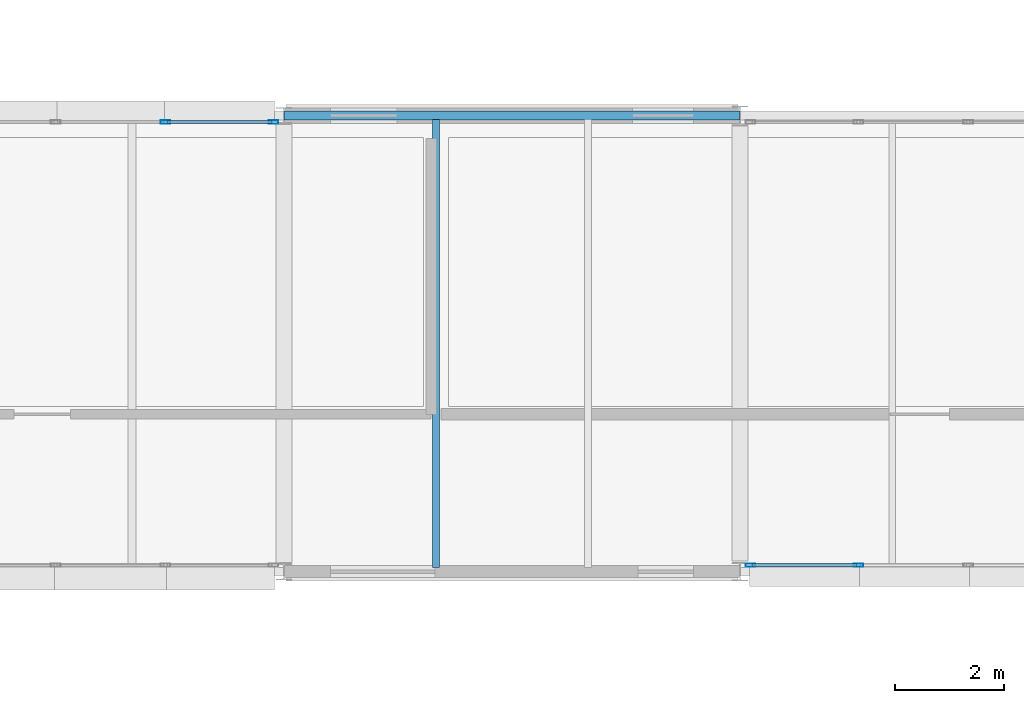
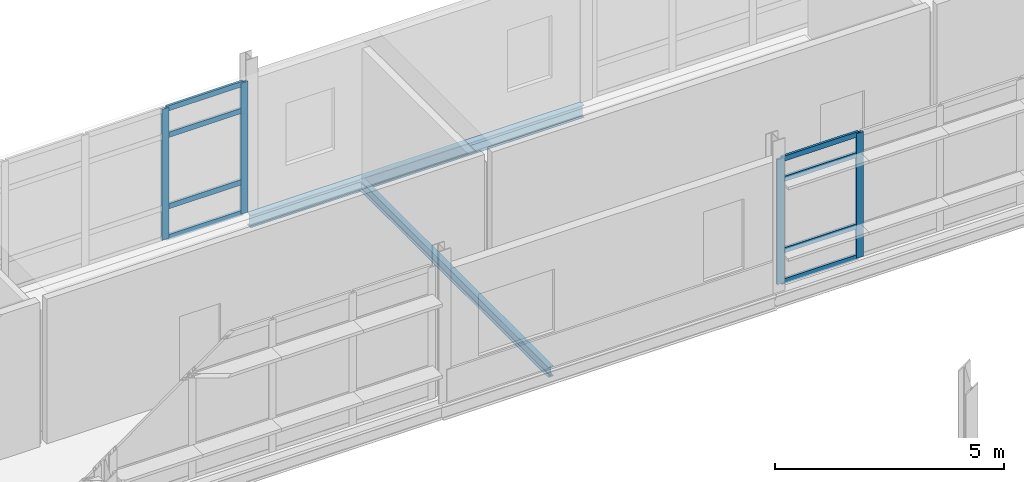
# One storey, part 25 of 57: 12 members, 2 beams, 2 elements without a shape of their own.
"""IFC4 building model written with IfcOpenShell, lengths in metres."""

from ifc_helpers import new_model, si_unit, direction, frame, origin, origin_2d, place, context, subcontext, project, spatial, hollow_rectangle, i_section, extrude, material, material_profile, profile_set, type_object, element, aggregate, save


model = new_model("IFC4")

# Units and contexts
model_context = context("Model", 3, precision=1e-05, world=origin(), true_north=direction((0.0, 1.0)))
body_context = subcontext(model_context, "Body", "Model", "MODEL_VIEW")
ifc_project = project(units=[si_unit("LENGTHUNIT", "METRE"), si_unit("AREAUNIT", "SQUARE_METRE"), si_unit("VOLUMEUNIT", "CUBIC_METRE"), si_unit("PLANEANGLEUNIT", "RADIAN"), si_unit("MASSUNIT", "GRAM", prefix="KILO")], contexts=[model_context])

# Site, building, storey
site_placement = place(None, origin())
site = spatial("IfcSite", under=ifc_project, at=site_placement, CompositionType="ELEMENT")
building_placement = place(site_placement, origin())
building = spatial("IfcBuilding", under=site, at=building_placement, Name="Mersafa Astral City Hall", CompositionType="ELEMENT")
storey_placement = place(building_placement, frame((0.0, 0.0, 26.10009765625)))
storey = spatial("IfcBuildingStorey", under=building, at=storey_placement, Name="L06", CompositionType="ELEMENT", Elevation=26.10009765625)

# Curtain wall, members
ifc_material_1 = material(Name="Anodised bronze aluminium framing", Category="aluminium")
curtain_wall_type_1 = type_object("IfcCurtainWallType", Name="ENV-CW-2", PredefinedType="USERDEFINED", material=ifc_material_1)
curtain_wall_1_placement = place(storey_placement, origin())
curtain_wall_1 = element("IfcCurtainWall", 1, at=curtain_wall_1_placement, inside=storey, type_object=curtain_wall_type_1, Name="L06 Unitised solar curtain wall 259", ObjectType="UNITISED CURTAIN WALL", PredefinedType="USERDEFINED")
ifc_material_profile_1 = material_profile(ifc_material_1, hollow_rectangle(XDim=0.06005859375, YDim=0.179931640625, WallThickness=0.00390625, at=origin_2d()), Name="RHS 60x180x4")
ifc_profile_set_1 = profile_set([ifc_material_profile_1], Name="Anodised bronze aluminium framing")
member_type_1 = type_object("IfcMemberType", Name="ENV-CW-MUL-1", PredefinedType="MULLION", material=ifc_profile_set_1)
member_1_placement = place(storey_placement, frame((100.60791015625, 125.8798828125, -0.002197265625), z_axis=(0.0, 0.0, 1.0), x_axis=(0.0, -1.0, 0.0)))
member_1 = element("IfcMember", 2, at=member_1_placement, type_object=member_type_1, Name="CW-2 mullion 1", PredefinedType="MULLION", context=body_context, shape_type="SweptSolid", body=[
    extrude(hollow_rectangle(XDim=0.06005859375, YDim=0.179931640625, WallThickness=0.00390625, at=origin_2d()), origin(), (0.0, 0.0, 1.0), 3.489013671875),
])
member_2_placement = place(storey_placement, frame((98.618896484375, 125.8798828125, -0.002197265625), z_axis=(0.0, 0.0, 1.0), x_axis=(0.0, -1.0, 0.0)))
member_2 = element("IfcMember", 3, at=member_2_placement, type_object=member_type_1, Name="CW-2 mullion 2", PredefinedType="MULLION", context=body_context, shape_type="SweptSolid", body=[
    extrude(hollow_rectangle(XDim=0.06005859375, YDim=0.179931640625, WallThickness=0.00390625, at=origin_2d()), origin(), (0.0, 0.0, 1.0), 3.489013671875),
])

curtain_wall_type_2 = type_object("IfcCurtainWallType", Name="ENV-CW-4", PredefinedType="USERDEFINED", material=ifc_material_1)
curtain_wall_2_placement = place(storey_placement, origin())
curtain_wall_2 = element("IfcCurtainWall", 4, at=curtain_wall_2_placement, inside=storey, type_object=curtain_wall_type_2, Name="L06 Unitised solar curtain wall 267", ObjectType="UNITISED CURTAIN WALL", PredefinedType="USERDEFINED")
member_3_placement = place(storey_placement, frame((109.39208984375, 117.719970703125, -0.002197265625), z_axis=(0.0, 0.0, 1.0), x_axis=(0.0, 1.0, 0.0)))
member_3 = element("IfcMember", 5, at=member_3_placement, type_object=member_type_1, Name="CW-4 mullion 1", PredefinedType="MULLION", context=body_context, shape_type="SweptSolid", body=[
    extrude(hollow_rectangle(XDim=0.06005859375, YDim=0.179931640625, WallThickness=0.00390625, at=origin_2d()), origin(), (0.0, 0.0, 1.0), 3.32421875),
])
member_4_placement = place(storey_placement, frame((111.381103515625, 117.719970703125, -0.002197265625), z_axis=(0.0, 0.0, 1.0), x_axis=(0.0, 1.0, 0.0)))
member_4 = element("IfcMember", 6, at=member_4_placement, type_object=member_type_1, Name="CW-4 mullion 2", PredefinedType="MULLION", context=body_context, shape_type="SweptSolid", body=[
    extrude(hollow_rectangle(XDim=0.06005859375, YDim=0.179931640625, WallThickness=0.00390625, at=origin_2d()), origin(), (0.0, 0.0, 1.0), 3.32421875),
])

# Member
ifc_material_profile_2 = material_profile(ifc_material_1, hollow_rectangle(XDim=0.06005859375, YDim=0.139892578125, WallThickness=0.00390625, at=origin_2d()), Name="RHS 60x140x4")
ifc_profile_set_2 = profile_set([ifc_material_profile_2], Name="Anodised bronze aluminium framing")
member_type_2 = type_object("IfcMemberType", Name="ENV-CW-TRN-1", PredefinedType="USERDEFINED", material=ifc_profile_set_2)
member_5_placement = place(storey_placement, frame((100.577880859375, 125.8798828125, 0.02783203125), z_axis=(-1.0, 0.0, 0.0), x_axis=(0.0, -1.0, 0.0)))
member_5 = element("IfcMember", 7, at=member_5_placement, type_object=member_type_2, Name="CW-2 transom 1.1", ObjectType="TRANSOM", PredefinedType="USERDEFINED", context=body_context, shape_type="SweptSolid", body=[
    extrude(hollow_rectangle(XDim=0.06005859375, YDim=0.139892578125, WallThickness=0.00390625, at=origin_2d()), origin(), (0.0, 0.0, 1.0), 1.928955078125),
])

member_6_placement = place(storey_placement, frame((100.577880859375, 125.8798828125, 0.849853515625), z_axis=(-1.0, 0.0, 0.0), x_axis=(0.0, -1.0, 0.0)))
member_6 = element("IfcMember", 8, at=member_6_placement, type_object=member_type_2, Name="CW-2 transom 1.2", ObjectType="TRANSOM", PredefinedType="USERDEFINED", context=body_context, shape_type="SweptSolid", body=[
    extrude(hollow_rectangle(XDim=0.06005859375, YDim=0.139892578125, WallThickness=0.00390625, at=origin_2d()), origin(), (0.0, 0.0, 1.0), 1.928955078125),
])

member_7_placement = place(storey_placement, frame((100.577880859375, 125.8798828125, 2.75), z_axis=(-1.0, 0.0, 0.0), x_axis=(0.0, -1.0, 0.0)))
member_7 = element("IfcMember", 9, at=member_7_placement, type_object=member_type_2, Name="CW-2 transom 1.3", ObjectType="TRANSOM", PredefinedType="USERDEFINED", context=body_context, shape_type="SweptSolid", body=[
    extrude(hollow_rectangle(XDim=0.06005859375, YDim=0.139892578125, WallThickness=0.00390625, at=origin_2d()), origin(), (0.0, 0.0, 1.0), 1.928955078125),
])

member_8_placement = place(storey_placement, frame((100.577880859375, 125.8798828125, 3.456787109375), z_axis=(-1.0, 0.0, 0.0), x_axis=(0.0, -1.0, 0.0)))
member_8 = element("IfcMember", 10, at=member_8_placement, type_object=member_type_2, Name="CW-2 transom 1.4", ObjectType="TRANSOM", PredefinedType="USERDEFINED", context=body_context, shape_type="SweptSolid", body=[
    extrude(hollow_rectangle(XDim=0.06005859375, YDim=0.139892578125, WallThickness=0.00390625, at=origin_2d()), origin(), (0.0, 0.0, 1.0), 1.928955078125),
])

aggregate(curtain_wall_1, [member_1, member_2, member_5, member_6, member_7, member_8])

member_9_placement = place(storey_placement, frame((109.422119140625, 117.719970703125, 0.02783203125), z_axis=(1.0, 0.0, 0.0), x_axis=(0.0, 1.0, 0.0)))
member_9 = element("IfcMember", 11, at=member_9_placement, type_object=member_type_2, Name="CW-4 transom 1.1", ObjectType="TRANSOM", PredefinedType="USERDEFINED", context=body_context, shape_type="SweptSolid", body=[
    extrude(hollow_rectangle(XDim=0.06005859375, YDim=0.139892578125, WallThickness=0.00390625, at=origin_2d()), origin(), (0.0, 0.0, 1.0), 1.928955078125),
])

member_10_placement = place(storey_placement, frame((109.422119140625, 117.719970703125, 0.849853515625), z_axis=(1.0, 0.0, 0.0), x_axis=(0.0, 1.0, 0.0)))
member_10 = element("IfcMember", 12, at=member_10_placement, type_object=member_type_2, Name="CW-4 transom 1.2", ObjectType="TRANSOM", PredefinedType="USERDEFINED", context=body_context, shape_type="SweptSolid", body=[
    extrude(hollow_rectangle(XDim=0.06005859375, YDim=0.139892578125, WallThickness=0.00390625, at=origin_2d()), origin(), (0.0, 0.0, 1.0), 1.928955078125),
])

member_11_placement = place(storey_placement, frame((109.422119140625, 117.719970703125, 2.75), z_axis=(1.0, 0.0, 0.0), x_axis=(0.0, 1.0, 0.0)))
member_11 = element("IfcMember", 13, at=member_11_placement, type_object=member_type_2, Name="CW-4 transom 1.3", ObjectType="TRANSOM", PredefinedType="USERDEFINED", context=body_context, shape_type="SweptSolid", body=[
    extrude(hollow_rectangle(XDim=0.06005859375, YDim=0.139892578125, WallThickness=0.00390625, at=origin_2d()), origin(), (0.0, 0.0, 1.0), 1.928955078125),
])

member_12_placement = place(storey_placement, frame((109.422119140625, 117.719970703125, 3.2919921875), z_axis=(1.0, 0.0, 0.0), x_axis=(0.0, 1.0, 0.0)))
member_12 = element("IfcMember", 14, at=member_12_placement, type_object=member_type_2, Name="CW-4 transom 1.4", ObjectType="TRANSOM", PredefinedType="USERDEFINED", context=body_context, shape_type="SweptSolid", body=[
    extrude(hollow_rectangle(XDim=0.06005859375, YDim=0.139892578125, WallThickness=0.00390625, at=origin_2d()), origin(), (0.0, 0.0, 1.0), 1.928955078125),
])

aggregate(curtain_wall_2, [member_3, member_4, member_9, member_10, member_11, member_12])

# Beams
ifc_material_2 = material(Name="Steel S355", Category="steel")
ifc_material_profile_3 = material_profile(ifc_material_2, i_section(OverallWidth=0.135009765625, OverallDepth=0.27001953125, WebThickness=0.006591796875, FlangeThickness=0.01025390625, FilletRadius=0.014892578125, at=origin_2d()), Name="IPE 270")
ifc_profile_set_3 = profile_set([ifc_material_profile_3], Name="Steel S355")
beam_type_1 = type_object("IfcBeamType", Name="STR-BM-JOIST-IPE270", PredefinedType="JOIST", material=ifc_profile_set_3)
beam_1_placement = place(storey_placement, frame((103.60009765625, 117.679931640625, -0.31005859375), z_axis=(0.0, 1.0, 0.0), x_axis=(-1.0, 0.0, 0.0)))
element("IfcBeam", 15, at=beam_1_placement, inside=storey, type_object=beam_type_1, Name="L06 Composite secondary floor joist 856", PredefinedType="JOIST", context=body_context, shape_type="SweptSolid", body=[
    extrude(i_section(OverallWidth=0.135009765625, OverallDepth=0.27001953125, WebThickness=0.006591796875, FlangeThickness=0.01025390625, FilletRadius=0.014892578125, at=origin_2d()), origin(), (0.0, 0.0, 1.0), 8.2451171875),
])
ifc_material_profile_4 = material_profile(ifc_material_2, i_section(OverallWidth=0.159912109375, OverallDepth=0.330078125, WebThickness=0.007568359375, FlangeThickness=0.011474609375, FilletRadius=0.01806640625, at=origin_2d()), Name="IPE 330")
ifc_profile_set_4 = profile_set([ifc_material_profile_4], Name="Steel S355")
beam_type_2 = type_object("IfcBeamType", Name="STR-BM-SPANDREL-IPE330", PredefinedType="SPANDREL", material=ifc_profile_set_4)
beam_2_placement = place(storey_placement, frame((100.802978515625, 126.0, -0.340087890625), z_axis=(1.0, 0.0, 0.0), x_axis=(0.0, 1.0, 0.0)))
element("IfcBeam", 16, at=beam_2_placement, inside=storey, type_object=beam_type_2, Name="L06 Primary girder X 12-15", PredefinedType="SPANDREL", context=body_context, shape_type="SweptSolid", body=[
    extrude(i_section(OverallWidth=0.159912109375, OverallDepth=0.330078125, WebThickness=0.007568359375, FlangeThickness=0.011474609375, FilletRadius=0.01806640625, at=origin_2d()), origin(), (0.0, 0.0, 1.0), 8.39404296875),
])

save(model, "model.ifc")
